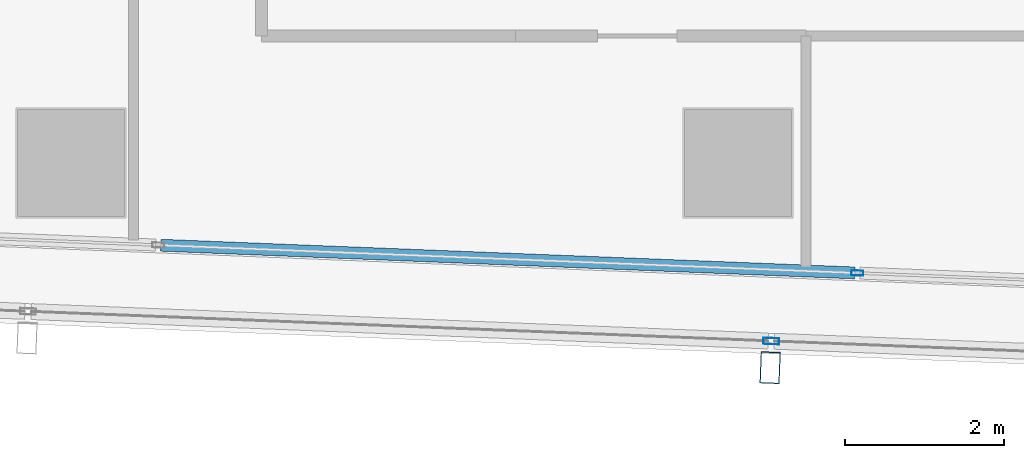
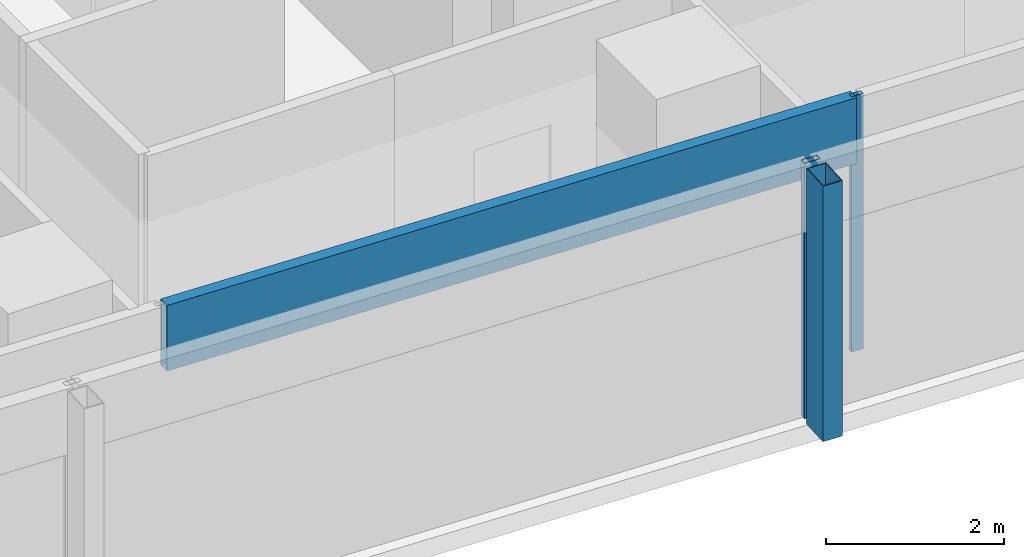
# One storey, part 6 of 38: 4 members, 2 elements without a shape of their own.
"""IFC4 building model written with IfcOpenShell, lengths in metres."""

from ifc_helpers import new_model, si_unit, direction, frame, origin, origin_2d, place, context, subcontext, project, spatial, hollow_rectangle, extrude, material, material_profile, profile_set, type_object, element, aggregate, save


model = new_model("IFC4")

# Units and contexts
model_context = context("Model", 3, precision=1e-05, world=origin(), true_north=direction((0.0, 1.0)))
body_context = subcontext(model_context, "Body", "Model", "MODEL_VIEW")
ifc_project = project(units=[si_unit("LENGTHUNIT", "METRE"), si_unit("AREAUNIT", "SQUARE_METRE"), si_unit("VOLUMEUNIT", "CUBIC_METRE"), si_unit("PLANEANGLEUNIT", "RADIAN"), si_unit("MASSUNIT", "GRAM", prefix="KILO")], contexts=[model_context])

# Site, building, storey
site_placement = place(None, origin())
site = spatial("IfcSite", under=ifc_project, at=site_placement, CompositionType="ELEMENT")
building_placement = place(site_placement, origin())
building = spatial("IfcBuilding", under=site, at=building_placement, Name="Rekha Terrace Tower", CompositionType="ELEMENT")
storey_placement = place(building_placement, frame((0.0, 0.0, 202.699951171875)))
storey = spatial("IfcBuildingStorey", under=building, at=storey_placement, Name="L51", CompositionType="ELEMENT", Elevation=202.699951171875)

# Curtain wall, member
ifc_material_1 = material(Name="Aluminium framing", Category="aluminium")
curtain_wall_type_1 = type_object("IfcCurtainWallType", Name="CW2 double skin outer glazing", PredefinedType="USERDEFINED", material=ifc_material_1)
curtain_wall_1_placement = place(storey_placement, origin())
curtain_wall_1 = element("IfcCurtainWall", 1, at=curtain_wall_1_placement, inside=storey, type_object=curtain_wall_type_1, Name="CW2 double skin outer glazing", ObjectType="DOUBLE SKIN OUTER GLAZING", PredefinedType="USERDEFINED")
ifc_material_2 = material(Name="Steel S355 with fluorocarbon finish", Category="steel")
ifc_material_profile_1 = material_profile(ifc_material_2, hollow_rectangle(XDim=0.25, YDim=0.39990234375, WallThickness=0.012451171875, at=origin_2d()), Name="RHS400x250x12.5")
ifc_profile_set_1 = profile_set([ifc_material_profile_1], Name="Steel S355 with fluorocarbon finish")
member_type_1 = type_object("IfcMemberType", Name="BL1 facade blade RHS 400 x 250", PredefinedType="USERDEFINED", material=ifc_profile_set_1)
member_1_placement = place(storey_placement, frame((25.60498046875, 14.222412109375, 0.0), z_axis=(0.0, 0.0, 1.0), x_axis=(0.999204797763, -0.039871946621, 0.0)))
member_1 = element("IfcMember", 2, at=member_1_placement, type_object=member_type_1, Name="Facade blade", ObjectType="FACADE BLADE", PredefinedType="USERDEFINED", context=body_context, shape_type="SweptSolid", body=[
    extrude(hollow_rectangle(XDim=0.25, YDim=0.39990234375, WallThickness=0.012451171875, at=origin_2d()), origin(), (0.0, 0.0, 1.0), 3.5),
])

# Curtain wall, members
curtain_wall_type_2 = type_object("IfcCurtainWallType", Name="CW1 double skin inner glazing", PredefinedType="USERDEFINED", material=ifc_material_1)
curtain_wall_2_placement = place(storey_placement, origin())
curtain_wall_2 = element("IfcCurtainWall", 3, at=curtain_wall_2_placement, inside=storey, type_object=curtain_wall_type_2, Name="CW1 double skin inner glazing", ObjectType="DOUBLE SKIN INNER GLAZING", PredefinedType="USERDEFINED")
ifc_material_3 = material(Name="Aluminium mullion section", Category="aluminium")
ifc_material_profile_2 = material_profile(ifc_material_3, hollow_rectangle(XDim=0.06494140625, YDim=0.14990234375, WallThickness=0.00390625, at=origin_2d()), Name="AL RHS 65x150")
ifc_profile_set_2 = profile_set([ifc_material_profile_2], Name="Aluminium mullion section")
member_type_2 = type_object("IfcMemberType", Name="CW1 mullion RHS 65 x 150", PredefinedType="MULLION", material=ifc_profile_set_2)
member_2_placement = place(storey_placement, frame((26.703369140625, 15.41455078125, 0.0), z_axis=(0.0, 0.0, 1.0), x_axis=(0.039872497061, 0.999204775798, 0.0)))
member_2 = element("IfcMember", 4, at=member_2_placement, type_object=member_type_2, Name="CW1 mullion 3", PredefinedType="MULLION", context=body_context, shape_type="SweptSolid", body=[
    extrude(hollow_rectangle(XDim=0.06494140625, YDim=0.14990234375, WallThickness=0.00390625, at=origin_2d()), origin(), (0.0, 0.0, 1.0), 3.5),
])
ifc_material_4 = material(Name="Insulated aluminium spandrel box", Category="aluminium")
ifc_material_profile_3 = material_profile(ifc_material_4, hollow_rectangle(XDim=0.14990234375, YDim=0.89990234375, WallThickness=0.0029296875, at=origin_2d()), Name="AL SPANDREL BOX 150x900")
ifc_profile_set_3 = profile_set([ifc_material_profile_3], Name="Insulated aluminium spandrel box")
member_type_3 = type_object("IfcMemberType", Name="CW1 spandrel transom 150 x 900", PredefinedType="USERDEFINED", material=ifc_profile_set_3)
member_3_placement = place(storey_placement, frame((17.931396484375, 15.7646484375, 3.050048828125), z_axis=(0.999205278064, -0.039859908291, 0.0), x_axis=(0.039859908291, 0.999205278064, 0.0)))
member_3 = element("IfcMember", 5, at=member_3_placement, type_object=member_type_3, Name="CW1 spandrel transom 2", ObjectType="TRANSOM", PredefinedType="USERDEFINED", context=body_context, shape_type="SweptSolid", body=[
    extrude(hollow_rectangle(XDim=0.14990234375, YDim=0.89990234375, WallThickness=0.0029296875, at=origin_2d()), origin(), (0.0, 0.0, 1.0), 8.746337890625),
])
aggregate(curtain_wall_2, [member_2, member_3])

# Member
ifc_material_profile_4 = material_profile(ifc_material_3, hollow_rectangle(XDim=0.080078125, YDim=0.199951171875, WallThickness=0.00390625, at=origin_2d()), Name="AL RHS 80x200")
ifc_profile_set_4 = profile_set([ifc_material_profile_4], Name="Aluminium mullion section")
member_type_4 = type_object("IfcMemberType", Name="CW2 mullion RHS 80 x 200", PredefinedType="MULLION", material=ifc_profile_set_4)
member_4_placement = place(storey_placement, frame((25.618408203125, 14.55712890625, 0.0), z_axis=(0.0, 0.0, 1.0), x_axis=(0.039872497044, 0.999204775799, 0.0)))
member_4 = element("IfcMember", 6, at=member_4_placement, type_object=member_type_4, Name="CW2 mullion 3", PredefinedType="MULLION", context=body_context, shape_type="SweptSolid", body=[
    extrude(hollow_rectangle(XDim=0.080078125, YDim=0.199951171875, WallThickness=0.00390625, at=origin_2d()), origin(), (0.0, 0.0, 1.0), 3.5),
])

aggregate(curtain_wall_1, [member_4, member_1])

save(model, "model.ifc")
